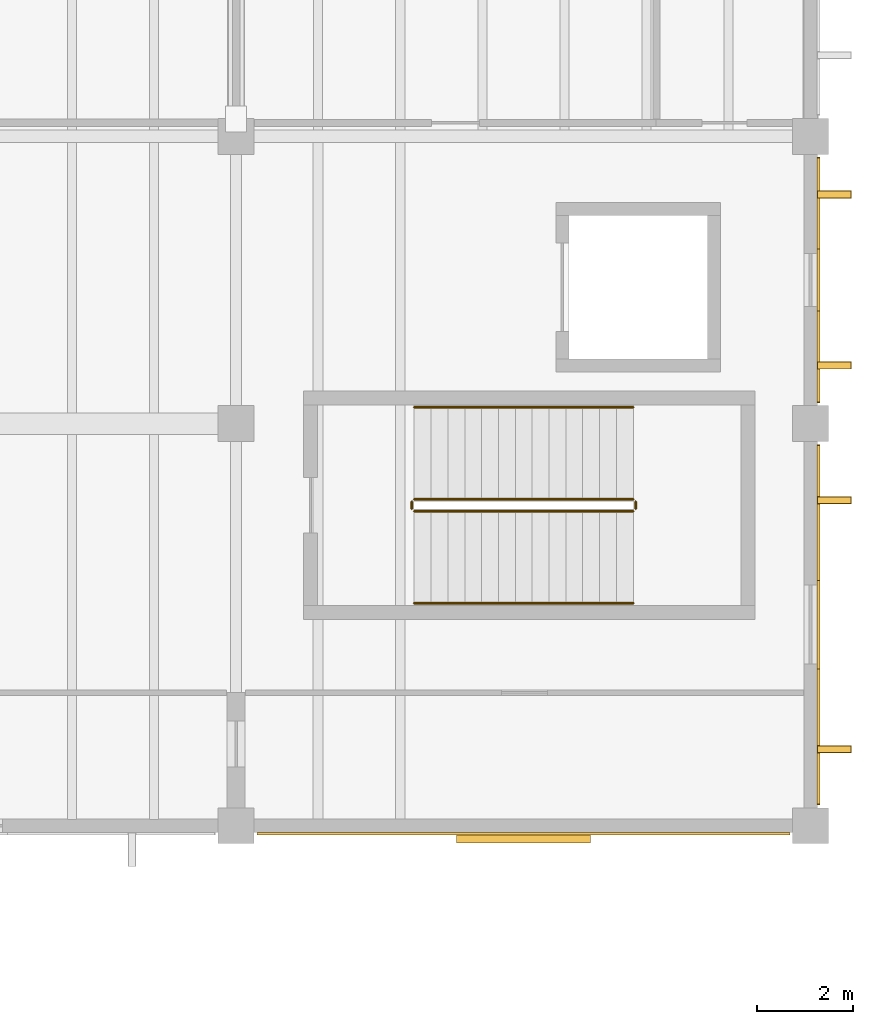
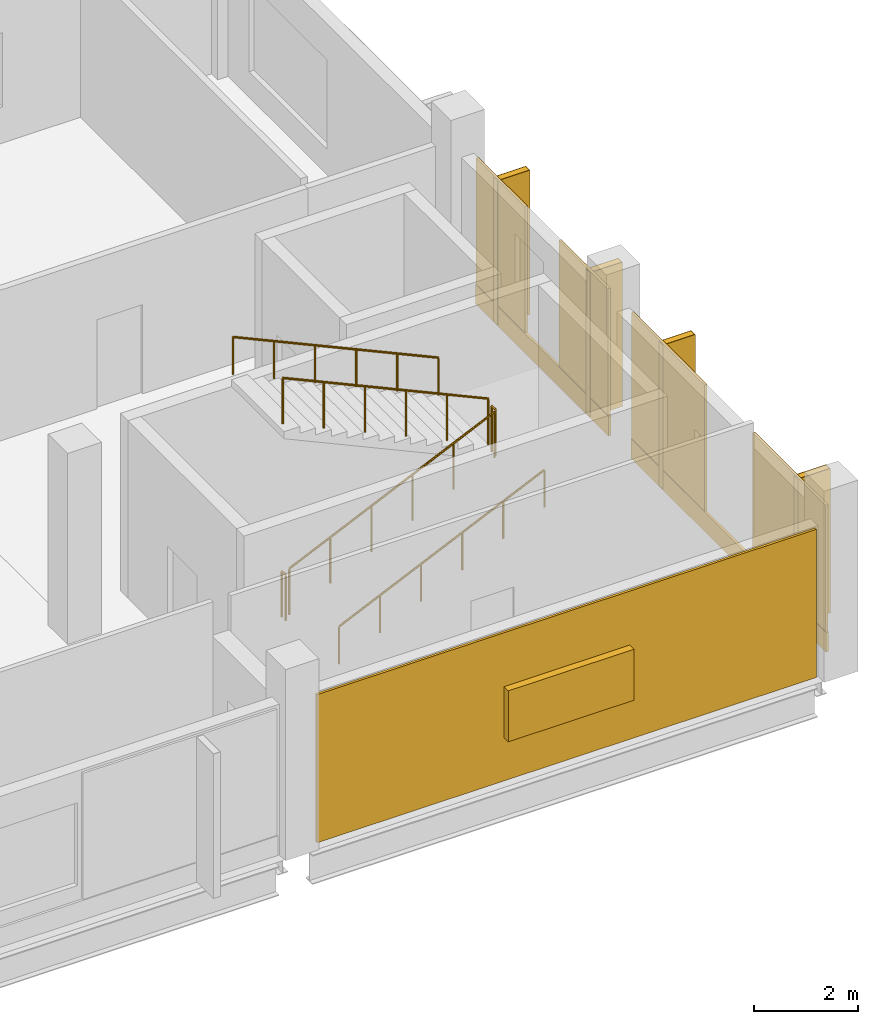
# One storey, part 75 of 78: 11 coverings, 6 railings, 5 shading devices.
"""IFC4 building model written with IfcOpenShell, lengths in metres."""

from ifc_helpers import new_model, si_unit, direction, frame, origin, origin_2d, place, context, subcontext, project, spatial, rectangle, circle, extrude, material, layer, layer_set, type_object, element, save


model = new_model("IFC4")

# Units and contexts
model_context = context("Model", 3, precision=1e-05, world=origin(), true_north=direction((0.0, 1.0)))
body_context = subcontext(model_context, "Body", "Model", "MODEL_VIEW")
ifc_project = project(units=[si_unit("LENGTHUNIT", "METRE"), si_unit("AREAUNIT", "SQUARE_METRE"), si_unit("VOLUMEUNIT", "CUBIC_METRE"), si_unit("PLANEANGLEUNIT", "RADIAN"), si_unit("MASSUNIT", "GRAM", prefix="KILO")], contexts=[model_context])

# Site, building, storey
site_placement = place(None, origin())
site = spatial("IfcSite", under=ifc_project, at=site_placement, CompositionType="ELEMENT")
building_placement = place(site_placement, origin())
building = spatial("IfcBuilding", under=site, at=building_placement, Name="Kelmvaro Bay Concert Hall", CompositionType="ELEMENT")
storey_placement = place(building_placement, frame((0.0, 0.0, 9.300048828125)))
storey = spatial("IfcBuildingStorey", under=building, at=storey_placement, Name="L02", CompositionType="ELEMENT", Elevation=9.300048828125)

# Shading devices
ifc_material_1 = material(Name="Anodised Extruded Aluminium 6063-T6", Category="aluminium")
ifc_layer_1 = layer(ifc_material_1, 3.39990234375)
ifc_layer_set_1 = layer_set([ifc_layer_1], Name="Anodised Extruded Aluminium 6063-T6")
shading_device_type_1 = type_object("IfcShadingDeviceType", Name="Bauhaus Vertical Solar Brise-Soleil Fin 720x3400", PredefinedType="SHUTTER", material=ifc_layer_set_1)
for number, where, z_axis, x_axis, name in (
    (1, (168.49609375, 22.40087890625, 0.06005859375), (0.0, 0.0, 1.0), (0.0, -1.0, 0.0), "L02 Solar Brise-Soleil Fin 161"),
    (2, (168.49609375, 17.198974609375, 0.06005859375), (0.0, 0.0, 1.0), (0.0, -1.0, 0.0), "L02 Solar Brise-Soleil Fin 162"),
    (3, (168.49609375, 28.784912109375, 0.06005859375), (0.0, 0.0, 1.0), (0.0, -1.0, 0.0), "L02 Solar Brise-Soleil Fin 163"),
    (4, (168.49609375, 25.215087890625, 0.06005859375), (0.0, 0.0, 1.0), (0.0, -1.0, 0.0), "L02 Solar Brise-Soleil Fin 164"),
):
    element("IfcShadingDevice", number, at=place(storey_placement, frame(where, z_axis=z_axis, x_axis=x_axis)), inside=storey, type_object=shading_device_type_1, Name=name, PredefinedType="SHUTTER", context=body_context, shape_type="SweptSolid", body=[
        extrude(rectangle(XDim=0.159912109375, YDim=0.719970703125, at=origin_2d()), origin(), (0.0, 0.0, 1.0), 3.39990234375),
    ])

# Coverings
ifc_material_2 = material(Name="PVDF-Coated Architectural Aluminium", Category="aluminium")
ifc_layer_2 = layer(ifc_material_2, 0.0400390625)
ifc_layer_set_2 = layer_set([ifc_layer_2], Name="PVDF-Coated Architectural Aluminium")
covering_type_1 = type_object("IfcCoveringType", Name="De Stijl Enamelled Aluminium Fascia Panel 40", PredefinedType="CLADDING", material=ifc_layer_set_2)
for number, where, z_axis, x_axis, name in (
    (5, (168.49609375, 22.40087890625, 0.06005859375), (0.0, 0.0, 1.0), (0.0, -1.0, 0.0), "L02 Architectural Vertical Fin Cladding 0780"),
    (6, (168.49609375, 17.198974609375, 0.06005859375), (0.0, 0.0, 1.0), (0.0, -1.0, 0.0), "L02 Architectural Vertical Fin Cladding 0781"),
    (7, (168.49609375, 28.784912109375, 0.06005859375), (0.0, 0.0, 1.0), (0.0, -1.0, 0.0), "L02 Architectural Vertical Fin Cladding 0788"),
    (8, (168.49609375, 25.215087890625, 0.06005859375), (0.0, 0.0, 1.0), (0.0, -1.0, 0.0), "L02 Architectural Vertical Fin Cladding 0789"),
):
    element("IfcCovering", number, at=place(storey_placement, frame(where, z_axis=z_axis, x_axis=x_axis)), inside=storey, type_object=covering_type_1, Name=name, PredefinedType="CLADDING", context=body_context, shape_type="SweptSolid", body=[
        extrude(rectangle(XDim=0.139892578125, YDim=0.699951171875, at=origin_2d()), origin(), (0.0, 0.0, 1.0), 3.39990234375),
    ])
ifc_material_3 = material(Name="Honed Florida Limestone Travertine", Category="masonry")
ifc_layer_3 = layer(ifc_material_3, 0.054931640625)
ifc_layer_set_3 = layer_set([ifc_layer_3], Name="Honed Florida Limestone Travertine")
covering_type_2 = type_object("IfcCoveringType", Name="Honed Florida Travertine Rainscreen Cladding 55", PredefinedType="CLADDING", material=ifc_layer_set_3)
covering_1_placement = place(storey_placement, frame((162.0, 15.4345703125, 0.02978515625), z_axis=(0.0, 0.0, 1.0), x_axis=(-1.0, 0.0, 0.0)))
element("IfcCovering", 9, at=covering_1_placement, inside=storey, type_object=covering_type_2, Name="L02 Travertine Cladding Panel 0763", PredefinedType="CLADDING", context=body_context, shape_type="SweptSolid", body=[
    extrude(rectangle(XDim=11.1298828125, YDim=0.054931640625, at=origin_2d()), origin(), (0.0, 0.0, 1.0), 3.489013671875),
])
covering_2_placement = place(storey_placement, frame((168.16552734375, 19.800048828125, 0.0400390625), z_axis=(0.0, 0.0, 1.0), x_axis=(0.0, -1.0, 0.0)))
element("IfcCovering", 10, at=covering_2_placement, inside=storey, type_object=covering_type_2, Name="L02 Travertine Sill Band 0779", PredefinedType="CLADDING", context=body_context, shape_type="SweptSolid", body=[
    extrude(rectangle(XDim=7.530029296875, YDim=0.054931640625, at=origin_2d()), origin(), (0.0, 0.0, 1.0), 0.4599609375),
])
for number, where, z_axis, x_axis, name in (
    (11, (168.16552734375, 22.135009765625, 0.52001953125), (0.0, 0.0, 1.0), (0.0, -1.0, 0.0), "L02 Travertine Pier Panel 0782"),
    (12, (168.16552734375, 17.465087890625, 0.52001953125), (0.0, 0.0, 1.0), (0.0, -1.0, 0.0), "L02 Travertine Pier Panel 0783"),
):
    element("IfcCovering", number, at=place(storey_placement, frame(where, z_axis=z_axis, x_axis=x_axis)), inside=storey, type_object=covering_type_2, Name=name, PredefinedType="CLADDING", context=body_context, shape_type="SweptSolid", body=[
        extrude(rectangle(XDim=2.820068359375, YDim=0.054931640625, at=origin_2d()), origin(), (0.0, 0.0, 1.0), 2.968017578125),
    ])
covering_3_placement = place(storey_placement, frame((168.16552734375, 27.0, 0.0400390625), z_axis=(0.0, 0.0, 1.0), x_axis=(0.0, -1.0, 0.0)))
element("IfcCovering", 13, at=covering_3_placement, inside=storey, type_object=covering_type_2, Name="L02 Travertine Sill Band 0787", PredefinedType="CLADDING", context=body_context, shape_type="SweptSolid", body=[
    extrude(rectangle(XDim=5.1298828125, YDim=0.054931640625, at=origin_2d()), origin(), (0.0, 0.0, 1.0), 0.4599609375),
])
for number, where, z_axis, x_axis, name in (
    (14, (168.16552734375, 28.597412109375, 0.52001953125), (0.0, 0.0, 1.0), (0.0, -1.0, 0.0), "L02 Travertine Pier Panel 0790"),
    (15, (168.16552734375, 25.402587890625, 0.52001953125), (0.0, 0.0, 1.0), (0.0, -1.0, 0.0), "L02 Travertine Pier Panel 0791"),
):
    element("IfcCovering", number, at=place(storey_placement, frame(where, z_axis=z_axis, x_axis=x_axis)), inside=storey, type_object=covering_type_2, Name=name, PredefinedType="CLADDING", context=body_context, shape_type="SweptSolid", body=[
        extrude(rectangle(XDim=1.89501953125, YDim=0.054931640625, at=origin_2d()), origin(), (0.0, 0.0, 1.0), 2.968017578125),
    ])

# Shading device
ifc_material_4 = material(Name="Anodised Extruded Aluminium 6063-T6", Category="aluminium")
ifc_layer_4 = layer(ifc_material_4, 1.199951171875)
ifc_layer_set_4 = layer_set([ifc_layer_4], Name="Anodised Extruded Aluminium 6063-T6")
shading_device_type_2 = type_object("IfcShadingDeviceType", Name="Hurricane Acoustic Intake Storm Louvre 2800x1200", PredefinedType="JALOUSIE", material=ifc_layer_set_4)
shading_device_placement = place(storey_placement, frame((162.0, 15.35302734375, 1.0498046875), z_axis=(0.0, 0.0, 1.0), x_axis=(-1.0, 0.0, 0.0)))
element("IfcShadingDevice", 16, at=shading_device_placement, inside=storey, type_object=shading_device_type_2, Name="L02 Storm Acoustic Louvre 154", PredefinedType="JALOUSIE", context=body_context, shape_type="SweptSolid", body=[
    extrude(rectangle(XDim=2.800048828125, YDim=0.219970703125, at=origin_2d()), origin(), (0.0, 0.0, 1.0), 1.199951171875),
])

# Railings
ifc_material_5 = material(Name="Brushed Stainless Steel 316", Category="steel")
railing_type_1 = type_object("IfcRailingType", Name="Stair Stainless Wall Handrail 900", PredefinedType="HANDRAIL", material=ifc_material_5)
railing_1_placement = place(storey_placement, frame((159.719970703125, 20.25, 0.16064453125)))
element("IfcRailing", 17, at=railing_1_placement, inside=storey, type_object=railing_type_1, Name="L02 ST-06 stair handrail 1", PredefinedType="HANDRAIL", context=body_context, shape_type="SweptSolid", body=[
    extrude(circle(Radius=0.02392578125, at=origin_2d()), frame((0.0, 0.0, 0.8759765625), z_axis=(0.909662093554, 0.0, 0.415349100818), x_axis=(0.0, 1.0, 0.0)), (0.0, 0.0, 1.0), 5.0302734375),
    extrude(circle(Radius=0.02099609375, at=origin_2d()), origin(), (0.0, 0.0, 1.0), 0.851806640625),
    extrude(circle(Radius=0.02099609375, at=origin_2d()), frame((0.915283203125, 0.0, 0.41796875)), (0.0, 0.0, 1.0), 0.851806640625),
    extrude(circle(Radius=0.02099609375, at=origin_2d()), frame((1.830322265625, 0.0, 0.835693359375)), (0.0, 0.0, 1.0), 0.851806640625),
    extrude(circle(Radius=0.02099609375, at=origin_2d()), frame((2.74560546875, 0.0, 1.253662109375)), (0.0, 0.0, 1.0), 0.851806640625),
    extrude(circle(Radius=0.02099609375, at=origin_2d()), frame((3.66064453125, 0.0, 1.67138671875)), (0.0, 0.0, 1.0), 0.851806640625),
    extrude(circle(Radius=0.02099609375, at=origin_2d()), frame((4.575927734375, 0.0, 2.08935546875)), (0.0, 0.0, 1.0), 0.851806640625),
])
railing_2_placement = place(storey_placement, frame((164.2958984375, 24.340087890625, 2.41064453125)))
element("IfcRailing", 18, at=railing_2_placement, inside=storey, type_object=railing_type_1, Name="L02 ST-06 stair handrail 2", PredefinedType="HANDRAIL", context=body_context, shape_type="SweptSolid", body=[
    extrude(circle(Radius=0.02392578125, at=origin_2d()), frame((0.0, 0.0, 0.8759765625), z_axis=(-0.909662093554, 0.0, 0.415349100818), x_axis=(0.0, -1.0, 0.0)), (0.0, 0.0, 1.0), 5.0302734375),
    extrude(circle(Radius=0.02099609375, at=origin_2d()), origin(), (0.0, 0.0, 1.0), 0.851806640625),
    extrude(circle(Radius=0.02099609375, at=origin_2d()), frame((-0.915283203125, 0.0, 0.41796875)), (0.0, 0.0, 1.0), 0.851806640625),
    extrude(circle(Radius=0.02099609375, at=origin_2d()), frame((-1.830322265625, 0.0, 0.835693359375)), (0.0, 0.0, 1.0), 0.851806640625),
    extrude(circle(Radius=0.02099609375, at=origin_2d()), frame((-2.74560546875, 0.0, 1.253662109375)), (0.0, 0.0, 1.0), 0.851806640625),
    extrude(circle(Radius=0.02099609375, at=origin_2d()), frame((-3.66064453125, 0.0, 1.67138671875)), (0.0, 0.0, 1.0), 0.851806640625),
    extrude(circle(Radius=0.02099609375, at=origin_2d()), frame((-4.575927734375, 0.0, 2.08935546875)), (0.0, 0.0, 1.0), 0.851806640625),
])
ifc_material_6 = material(Name="Powder-Coated Steel ASTM A500", Category="steel")
railing_type_2 = type_object("IfcRailingType", Name="Stair Well Painted Steel Guard 1100", PredefinedType="BALUSTRADE", material=ifc_material_6)
railing_3_placement = place(storey_placement, frame((159.719970703125, 22.169921875, 0.16064453125)))
element("IfcRailing", 19, at=railing_3_placement, inside=storey, type_object=railing_type_2, Name="L02 ST-06 stair guard 1", PredefinedType="BALUSTRADE", context=body_context, shape_type="SweptSolid", body=[
    extrude(circle(Radius=0.02392578125, at=origin_2d()), frame((0.0, 0.0, 1.076171875), z_axis=(0.909662093554, 0.0, 0.415349100818), x_axis=(0.0, 1.0, 0.0)), (0.0, 0.0, 1.0), 5.0302734375),
    extrude(circle(Radius=0.02099609375, at=origin_2d()), origin(), (0.0, 0.0, 1.0), 1.052001953125),
    extrude(circle(Radius=0.02099609375, at=origin_2d()), frame((0.915283203125, 0.0, 0.41796875)), (0.0, 0.0, 1.0), 1.052001953125),
    extrude(circle(Radius=0.02099609375, at=origin_2d()), frame((1.830322265625, 0.0, 0.835693359375)), (0.0, 0.0, 1.0), 1.052001953125),
    extrude(circle(Radius=0.02099609375, at=origin_2d()), frame((2.74560546875, 0.0, 1.253662109375)), (0.0, 0.0, 1.0), 1.052001953125),
    extrude(circle(Radius=0.02099609375, at=origin_2d()), frame((3.66064453125, 0.0, 1.67138671875)), (0.0, 0.0, 1.0), 1.052001953125),
    extrude(circle(Radius=0.02099609375, at=origin_2d()), frame((4.575927734375, 0.0, 2.08935546875)), (0.0, 0.0, 1.0), 1.052001953125),
])
railing_4_placement = place(storey_placement, frame((164.345947265625, 22.219970703125, 2.25)))
element("IfcRailing", 20, at=railing_4_placement, inside=storey, type_object=railing_type_2, Name="L02 ST-06 stair guard 2", PredefinedType="BALUSTRADE", context=body_context, shape_type="SweptSolid", body=[
    extrude(circle(Radius=0.02392578125, at=origin_2d()), frame((0.0, 0.0, 1.076171875), z_axis=(0.0, 1.0, 0.0), x_axis=(-1.0, 0.0, 0.0)), (0.0, 0.0, 1.0), 0.150146484375),
    extrude(circle(Radius=0.02099609375, at=origin_2d()), origin(), (0.0, 0.0, 1.0), 1.052001953125),
    extrude(circle(Radius=0.02099609375, at=origin_2d()), frame((0.0, 0.150146484375, 0.0)), (0.0, 0.0, 1.0), 1.052001953125),
])
railing_5_placement = place(storey_placement, frame((164.2958984375, 22.419921875, 2.41064453125)))
element("IfcRailing", 21, at=railing_5_placement, inside=storey, type_object=railing_type_2, Name="L02 ST-06 stair guard 3", PredefinedType="BALUSTRADE", context=body_context, shape_type="SweptSolid", body=[
    extrude(circle(Radius=0.02392578125, at=origin_2d()), frame((0.0, 0.0, 1.076171875), z_axis=(-0.909662093554, 0.0, 0.415349100818), x_axis=(0.0, -1.0, 0.0)), (0.0, 0.0, 1.0), 5.0302734375),
    extrude(circle(Radius=0.02099609375, at=origin_2d()), origin(), (0.0, 0.0, 1.0), 1.052001953125),
    extrude(circle(Radius=0.02099609375, at=origin_2d()), frame((-0.915283203125, 0.0, 0.41796875)), (0.0, 0.0, 1.0), 1.052001953125),
    extrude(circle(Radius=0.02099609375, at=origin_2d()), frame((-1.830322265625, 0.0, 0.835693359375)), (0.0, 0.0, 1.0), 1.052001953125),
    extrude(circle(Radius=0.02099609375, at=origin_2d()), frame((-2.74560546875, 0.0, 1.253662109375)), (0.0, 0.0, 1.0), 1.052001953125),
    extrude(circle(Radius=0.02099609375, at=origin_2d()), frame((-3.66064453125, 0.0, 1.67138671875)), (0.0, 0.0, 1.0), 1.052001953125),
    extrude(circle(Radius=0.02099609375, at=origin_2d()), frame((-4.575927734375, 0.0, 2.08935546875)), (0.0, 0.0, 1.0), 1.052001953125),
])
railing_6_placement = place(storey_placement, frame((159.669921875, 22.219970703125, 0.0)))
element("IfcRailing", 22, at=railing_6_placement, inside=storey, type_object=railing_type_2, Name="L02 ST-06 stair guard 4", PredefinedType="BALUSTRADE", context=body_context, shape_type="SweptSolid", body=[
    extrude(circle(Radius=0.02392578125, at=origin_2d()), frame((0.0, 0.0, 1.076171875), z_axis=(0.0, 1.0, 0.0), x_axis=(-1.0, 0.0, 0.0)), (0.0, 0.0, 1.0), 0.150146484375),
    extrude(circle(Radius=0.02099609375, at=origin_2d()), origin(), (0.0, 0.0, 1.0), 1.052001953125),
    extrude(circle(Radius=0.02099609375, at=origin_2d()), frame((0.0, 0.150146484375, 0.0)), (0.0, 0.0, 1.0), 1.052001953125),
])

save(model, "model.ifc")
